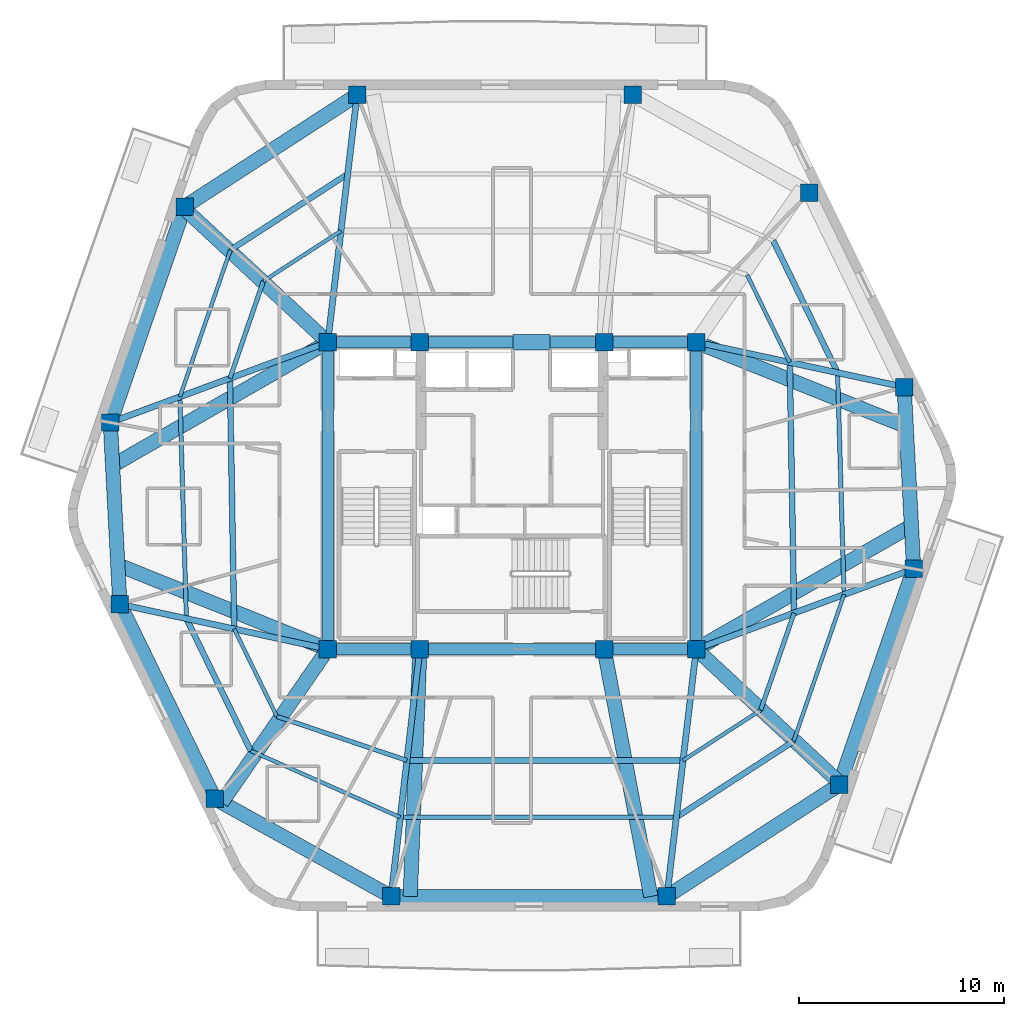
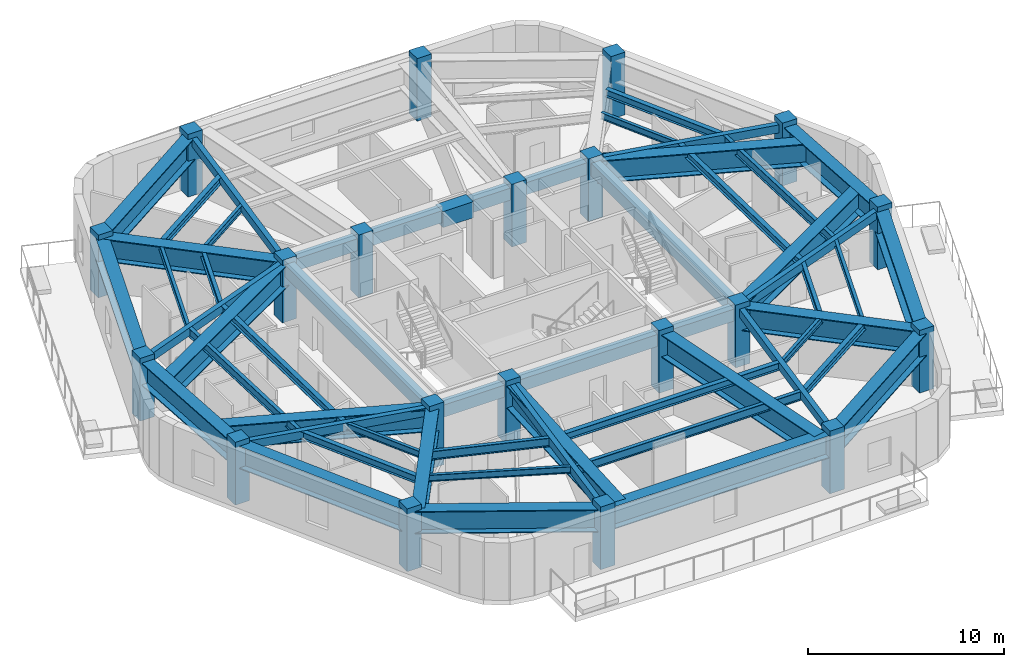
# One storey, part 1 of 9: 54 beams, 20 columns.
"""IFC4 building model written with IfcOpenShell, lengths in metres."""

from ifc_helpers import new_model, si_unit, direction, frame, origin, origin_2d, place, context, subcontext, project, spatial, rectangle, i_section, extrude, material, material_profile, profile_set, type_object, element, save


model = new_model("IFC4")

# Units and contexts
model_context = context("Model", 3, precision=1e-05, world=origin(), true_north=direction((0.0, 1.0)))
body_context = subcontext(model_context, "Body", "Model", "MODEL_VIEW")
ifc_project = project(units=[si_unit("LENGTHUNIT", "METRE"), si_unit("AREAUNIT", "SQUARE_METRE"), si_unit("VOLUMEUNIT", "CUBIC_METRE"), si_unit("PLANEANGLEUNIT", "RADIAN"), si_unit("MASSUNIT", "GRAM", prefix="KILO")], contexts=[model_context])

# Site, building, storey
site_placement = place(None, origin())
site = spatial("IfcSite", under=ifc_project, at=site_placement, CompositionType="ELEMENT")
building_placement = place(site_placement, origin())
building = spatial("IfcBuilding", under=site, at=building_placement, Name="Kilnhurst Terrace Hotel", CompositionType="ELEMENT")
storey_placement = place(building_placement, frame((0.0, 0.0, 301.5)))
storey = spatial("IfcBuildingStorey", under=building, at=storey_placement, Name="L75", CompositionType="ELEMENT", Elevation=301.5)

# Columns
ifc_material_1 = material(Name="Concrete C60/75", Category="concrete")
ifc_material_profile_1 = material_profile(ifc_material_1, rectangle(XDim=0.85009765625, YDim=0.85009765625, at=origin_2d()), Name="RC850X850")
ifc_profile_set_1 = profile_set([ifc_material_profile_1], Name="Concrete C60/75")
column_type = type_object("IfcColumnType", Name="COL-RC-850", PredefinedType="COLUMN", material=ifc_profile_set_1)
for number, where, z_axis, x_axis, name in (
    (1, (-9.0, -7.5, 0.0), (0.0, 0.0, 1.0), (1.0, 0.0, 0.0), "L75 Structural Column CC-SW"),
    (2, (-4.5, -7.5, 0.0), (0.0, 0.0, 1.0), (1.0, 0.0, 0.0), "L75 Structural Column CC-SC1"),
    (3, (4.5, -7.5, 0.0), (0.0, 0.0, 1.0), (1.0, 0.0, 0.0), "L75 Structural Column CC-SC2"),
    (4, (9.0, -7.5, 0.0), (0.0, 0.0, 1.0), (1.0, 0.0, 0.0), "L75 Structural Column CC-SE"),
    (5, (9.0, 7.5, 0.0), (0.0, 0.0, 1.0), (1.0, 0.0, 0.0), "L75 Structural Column CC-NE"),
    (6, (4.5, 7.5, 0.0), (0.0, 0.0, 1.0), (1.0, 0.0, 0.0), "L75 Structural Column CC-NC2"),
    (7, (-4.5, 7.5, 0.0), (0.0, 0.0, 1.0), (1.0, 0.0, 0.0), "L75 Structural Column CC-NC1"),
    (8, (-9.0, 7.5, 0.0), (0.0, 0.0, 1.0), (1.0, 0.0, 0.0), "L75 Structural Column CC-NW"),
    (9, (-5.907958984375, -19.580078125, 0.0), (0.0, 0.0, 1.0), (1.0, 0.0, 0.0), "L75 Structural Column PC-F11"),
    (10, (7.569091796875, -19.580078125, 0.0), (0.0, 0.0, 1.0), (1.0, 0.0, 0.0), "L75 Structural Column PC-F12"),
    (11, (15.9951171875, -14.12109375, 0.0), (0.0, 0.0, 1.0), (1.0, 0.0, 0.0), "L75 Structural Column PC-F21"),
    (12, (19.6240234375, -3.573974609375, 0.0), (0.0, 0.0, 1.0), (1.0, 0.0, 0.0), "L75 Structural Column PC-F22"),
    (13, (19.157958984375, 5.304931640625, 0.0), (0.0, 0.0, 1.0), (1.0, 0.0, 0.0), "L75 Structural Column PC-F31"),
    (14, (14.531005859375, 14.798095703125, 0.0), (0.0, 0.0, 1.0), (1.0, 0.0, 0.0), "L75 Structural Column PC-F32"),
    (15, (5.907958984375, 19.580078125, 0.0), (0.0, 0.0, 1.0), (1.0, 0.0, 0.0), "L75 Structural Column PC-F41"),
    (16, (-7.569091796875, 19.580078125, 0.0), (0.0, 0.0, 1.0), (1.0, 0.0, 0.0), "L75 Structural Column PC-F42"),
    (17, (-15.9951171875, 14.12109375, 0.0), (0.0, 0.0, 1.0), (1.0, 0.0, 0.0), "L75 Structural Column PC-F51"),
    (18, (-19.6240234375, 3.573974609375, 0.0), (0.0, 0.0, 1.0), (1.0, 0.0, 0.0), "L75 Structural Column PC-F52"),
    (19, (-19.157958984375, -5.304931640625, 0.0), (0.0, 0.0, 1.0), (1.0, 0.0, 0.0), "L75 Structural Column PC-F61"),
    (20, (-14.531005859375, -14.798095703125, 0.0), (0.0, 0.0, 1.0), (1.0, 0.0, 0.0), "L75 Structural Column PC-F62"),
):
    element("IfcColumn", number, at=place(storey_placement, frame(where, z_axis=z_axis, x_axis=x_axis)), inside=storey, type_object=column_type, Name=name, PredefinedType="COLUMN", context=body_context, shape_type="SweptSolid", body=[
        extrude(rectangle(XDim=0.85009765625, YDim=0.85009765625, at=origin_2d()), origin(), (0.0, 0.0, 1.0), 3.89990234375),
    ])

# Beams
ifc_material_2 = material(Name="Concrete C50/60", Category="concrete")
ifc_material_profile_2 = material_profile(ifc_material_2, rectangle(XDim=0.300048828125, YDim=0.5, at=origin_2d()), Name="RC300X500")
ifc_profile_set_2 = profile_set([ifc_material_profile_2], Name="Concrete C50/60")
beam_type_1 = type_object("IfcBeamType", Name="BM-RAD-300X500", PredefinedType="BEAM", material=ifc_profile_set_2)
beam_1_placement = place(storey_placement, frame((-4.5, -7.5, 3.330078125), z_axis=(-0.115768472001, -0.993276225876, 0.0), x_axis=(0.993276225876, -0.115768472001, 0.0)))
element("IfcBeam", 21, at=beam_1_placement, inside=storey, type_object=beam_type_1, Name="L75 Radial Floor Beam 1", PredefinedType="BEAM", context=body_context, shape_type="SweptSolid", body=[
    extrude(rectangle(XDim=0.300048828125, YDim=0.5, at=origin_2d()), origin(), (0.0, 0.0, 1.0), 12.161865234375),
])
beam_2_placement = place(storey_placement, frame((9.0, -7.5, 3.330078125), z_axis=(-0.117629552811, -0.993057545314, 0.0), x_axis=(0.993057545314, -0.117629552811, 0.0)))
element("IfcBeam", 22, at=beam_2_placement, inside=storey, type_object=beam_type_1, Name="L75 Radial Floor Beam 2", PredefinedType="BEAM", context=body_context, shape_type="SweptSolid", body=[
    extrude(rectangle(XDim=0.300048828125, YDim=0.5, at=origin_2d()), origin(), (0.0, 0.0, 1.0), 12.16455078125),
])
beam_3_placement = place(storey_placement, frame((9.0, -7.5, 3.330078125), z_axis=(0.938001507479, 0.3466311757, 0.0), x_axis=(-0.3466311757, 0.938001507479, 0.0)))
element("IfcBeam", 23, at=beam_3_placement, inside=storey, type_object=beam_type_1, Name="L75 Radial Floor Beam 4", PredefinedType="BEAM", context=body_context, shape_type="SweptSolid", body=[
    extrude(rectangle(XDim=0.300048828125, YDim=0.5, at=origin_2d()), origin(), (0.0, 0.0, 1.0), 11.326171875),
])
beam_4_placement = place(storey_placement, frame((9.0, 7.5, 3.330078125), z_axis=(0.977438945995, -0.211218149913, 0.0), x_axis=(0.211218149913, 0.977438945995, 0.0)))
element("IfcBeam", 24, at=beam_4_placement, inside=storey, type_object=beam_type_1, Name="L75 Radial Floor Beam 5", PredefinedType="BEAM", context=body_context, shape_type="SweptSolid", body=[
    extrude(rectangle(XDim=0.300048828125, YDim=0.5, at=origin_2d()), origin(), (0.0, 0.0, 1.0), 10.392333984375),
])
beam_5_placement = place(storey_placement, frame((-9.0, 7.5, 3.330078125), z_axis=(0.117629552811, 0.993057545314, 0.0), x_axis=(-0.993057545314, 0.117629552811, 0.0)))
element("IfcBeam", 25, at=beam_5_placement, inside=storey, type_object=beam_type_1, Name="L75 Radial Floor Beam 8", PredefinedType="BEAM", context=body_context, shape_type="SweptSolid", body=[
    extrude(rectangle(XDim=0.300048828125, YDim=0.5, at=origin_2d()), origin(), (0.0, 0.0, 1.0), 12.16455078125),
])
beam_6_placement = place(storey_placement, frame((-9.0, 7.5, 3.330078125), z_axis=(-0.938001507479, -0.3466311757, 0.0), x_axis=(0.3466311757, -0.938001507479, 0.0)))
element("IfcBeam", 26, at=beam_6_placement, inside=storey, type_object=beam_type_1, Name="L75 Radial Floor Beam 10", PredefinedType="BEAM", context=body_context, shape_type="SweptSolid", body=[
    extrude(rectangle(XDim=0.300048828125, YDim=0.5, at=origin_2d()), origin(), (0.0, 0.0, 1.0), 11.326171875),
])
beam_7_placement = place(storey_placement, frame((-9.0, -7.5, 3.330078125), z_axis=(-0.977438945995, 0.211218149913, 0.0), x_axis=(-0.211218149913, -0.977438945995, 0.0)))
element("IfcBeam", 27, at=beam_7_placement, inside=storey, type_object=beam_type_1, Name="L75 Radial Floor Beam 11", PredefinedType="BEAM", context=body_context, shape_type="SweptSolid", body=[
    extrude(rectangle(XDim=0.300048828125, YDim=0.5, at=origin_2d()), origin(), (0.0, 0.0, 1.0), 10.392333984375),
])
ifc_material_profile_3 = material_profile(ifc_material_2, rectangle(XDim=0.550048828125, YDim=0.75, at=origin_2d()), Name="RC550X750")
ifc_profile_set_3 = profile_set([ifc_material_profile_3], Name="Concrete C50/60")
beam_type_2 = type_object("IfcBeamType", Name="BM-SPN-550X750", PredefinedType="SPANDREL", material=ifc_profile_set_3)
beam_8_placement = place(storey_placement, frame((-9.0, 7.5, 3.205078125), z_axis=(1.0, 0.0, 0.0), x_axis=(0.0, 1.0, 0.0)))
element("IfcBeam", 28, at=beam_8_placement, inside=storey, type_object=beam_type_2, Name="L75 Core Tie Beam CC-NW to CC-NC1", PredefinedType="SPANDREL", context=body_context, shape_type="SweptSolid", body=[
    extrude(rectangle(XDim=0.550048828125, YDim=0.75, at=origin_2d()), origin(), (0.0, 0.0, 1.0), 4.5),
])
beam_9_placement = place(storey_placement, frame((-4.5, 7.5, 3.205078125), z_axis=(1.0, 0.0, 0.0), x_axis=(0.0, 1.0, 0.0)))
element("IfcBeam", 29, at=beam_9_placement, inside=storey, type_object=beam_type_2, Name="L75 Core Tie Beam CC-NC1 to CC-NC2", PredefinedType="SPANDREL", context=body_context, shape_type="SweptSolid", body=[
    extrude(rectangle(XDim=0.550048828125, YDim=0.75, at=origin_2d()), origin(), (0.0, 0.0, 1.0), 9.0),
])
for number, where, z_axis, x_axis, name in (
    (30, (4.5, 7.5, 3.205078125), (1.0, 0.0, 0.0), (0.0, 1.0, 0.0), "L75 Core Tie Beam CC-NC2 to CC-NE"),
    (31, (-9.0, -7.5, 3.205078125), (1.0, 0.0, 0.0), (0.0, 1.0, 0.0), "L75 Core Tie Beam CC-SW to CC-SC1"),
):
    element("IfcBeam", number, at=place(storey_placement, frame(where, z_axis=z_axis, x_axis=x_axis)), inside=storey, type_object=beam_type_2, Name=name, PredefinedType="SPANDREL", context=body_context, shape_type="SweptSolid", body=[
        extrude(rectangle(XDim=0.550048828125, YDim=0.75, at=origin_2d()), origin(), (0.0, 0.0, 1.0), 4.5),
    ])
beam_10_placement = place(storey_placement, frame((-4.5, -7.5, 3.205078125), z_axis=(1.0, 0.0, 0.0), x_axis=(0.0, 1.0, 0.0)))
element("IfcBeam", 32, at=beam_10_placement, inside=storey, type_object=beam_type_2, Name="L75 Core Tie Beam CC-SC1 to CC-SC2", PredefinedType="SPANDREL", context=body_context, shape_type="SweptSolid", body=[
    extrude(rectangle(XDim=0.550048828125, YDim=0.75, at=origin_2d()), origin(), (0.0, 0.0, 1.0), 9.0),
])
beam_11_placement = place(storey_placement, frame((4.5, -7.5, 3.205078125), z_axis=(1.0, 0.0, 0.0), x_axis=(0.0, 1.0, 0.0)))
element("IfcBeam", 33, at=beam_11_placement, inside=storey, type_object=beam_type_2, Name="L75 Core Tie Beam CC-SC2 to CC-SE", PredefinedType="SPANDREL", context=body_context, shape_type="SweptSolid", body=[
    extrude(rectangle(XDim=0.550048828125, YDim=0.75, at=origin_2d()), origin(), (0.0, 0.0, 1.0), 4.5),
])
for number, where, z_axis, x_axis, name in (
    (34, (-9.0, -7.5, 3.205078125), (0.0, 1.0, 0.0), (-1.0, 0.0, 0.0), "L75 Core Tie Beam CC-SW to CC-NW"),
    (35, (9.0, -7.5, 3.205078125), (0.0, 1.0, 0.0), (-1.0, 0.0, 0.0), "L75 Core Tie Beam CC-SE to CC-NE"),
):
    element("IfcBeam", number, at=place(storey_placement, frame(where, z_axis=z_axis, x_axis=x_axis)), inside=storey, type_object=beam_type_2, Name=name, PredefinedType="SPANDREL", context=body_context, shape_type="SweptSolid", body=[
        extrude(rectangle(XDim=0.550048828125, YDim=0.75, at=origin_2d()), origin(), (0.0, 0.0, 1.0), 15.0),
    ])
ifc_material_3 = material(Name="Steel ASTM A992 Grade 50", Category="steel")
ifc_material_profile_4 = material_profile(ifc_material_3, i_section(OverallWidth=0.180908203125, OverallDepth=0.417236328125, WebThickness=0.010986328125, FlangeThickness=0.018310546875, at=origin_2d()), Name="W16X57")
ifc_profile_set_4 = profile_set([ifc_material_profile_4], Name="Steel ASTM A992 Grade 50")
beam_type_3 = type_object("IfcBeamType", Name="JST-STL-W16X57", PredefinedType="JOIST", material=ifc_profile_set_4)
for number, where, z_axis, x_axis, name in (
    (36, (13.756591796875, -12.002197265625, 3.37109375), (0.325367628202, 0.945587598543, 0.0), (-0.945587598543, 0.325367628202, 0.0), "L75 Secondary Floor Steel Joist OUT.3"),
    (37, (-13.756591796875, 12.002197265625, 3.37109375), (-0.325367628202, -0.945587598543, 0.0), (0.945587598543, -0.325367628202, 0.0), "L75 Secondary Floor Steel Joist OUT.9"),
):
    element("IfcBeam", number, at=place(storey_placement, frame(where, z_axis=z_axis, x_axis=x_axis)), inside=storey, type_object=beam_type_3, Name=name, PredefinedType="JOIST", context=body_context, shape_type="SweptSolid", body=[
        extrude(i_section(OverallWidth=0.180908203125, OverallDepth=0.417236328125, WebThickness=0.010986328125, FlangeThickness=0.018310546875, at=origin_2d()), origin(), (0.0, 0.0, 1.0), 7.58447265625),
    ])
beam_12_placement = place(storey_placement, frame((-12.760986328125, -12.462646484375, 3.37109375), z_axis=(0.913545640569, -0.406736232216, 0.0), x_axis=(0.406736232216, 0.913545640569, 0.0)))
element("IfcBeam", 38, at=beam_12_placement, inside=storey, type_object=beam_type_3, Name="L75 Secondary Floor Steel Joist OUT.12", PredefinedType="JOIST", context=body_context, shape_type="SweptSolid", body=[
    extrude(i_section(OverallWidth=0.180908203125, OverallDepth=0.417236328125, WebThickness=0.010986328125, FlangeThickness=0.018310546875, at=origin_2d()), origin(), (0.0, 0.0, 1.0), 7.99462890625),
])
beam_13_placement = place(storey_placement, frame((8.35595703125, -12.93603515625, 3.37109375), z_axis=(0.839261215199, 0.543728436503, 0.0), x_axis=(-0.543728436503, 0.839261215199, 0.0)))
element("IfcBeam", 39, at=beam_13_placement, inside=storey, type_object=beam_type_3, Name="L75 Secondary Floor Steel Joist IN.2", PredefinedType="JOIST", context=body_context, shape_type="SweptSolid", body=[
    extrude(i_section(OverallWidth=0.180908203125, OverallDepth=0.417236328125, WebThickness=0.010986328125, FlangeThickness=0.018310546875, at=origin_2d()), origin(), (0.0, 0.0, 1.0), 4.51806640625),
])
beam_14_placement = place(storey_placement, frame((13.571044921875, 6.51220703125, 3.37109375), z_axis=(-0.438107813647, 0.898922434708, 0.0), x_axis=(-0.898922434708, -0.438107813647, 0.0)))
element("IfcBeam", 40, at=beam_14_placement, inside=storey, type_object=beam_type_3, Name="L75 Secondary Floor Steel Joist IN.5", PredefinedType="JOIST", context=body_context, shape_type="SweptSolid", body=[
    extrude(i_section(OverallWidth=0.180908203125, OverallDepth=0.417236328125, WebThickness=0.010986328125, FlangeThickness=0.018310546875, at=origin_2d()), origin(), (0.0, 0.0, 1.0), 4.75244140625),
])
beam_15_placement = place(storey_placement, frame((-8.35595703125, 12.93603515625, 3.37109375), z_axis=(-0.839261215199, -0.543728436503, 0.0), x_axis=(0.543728436503, -0.839261215199, 0.0)))
element("IfcBeam", 41, at=beam_15_placement, inside=storey, type_object=beam_type_3, Name="L75 Secondary Floor Steel Joist IN.8", PredefinedType="JOIST", context=body_context, shape_type="SweptSolid", body=[
    extrude(i_section(OverallWidth=0.180908203125, OverallDepth=0.417236328125, WebThickness=0.010986328125, FlangeThickness=0.018310546875, at=origin_2d()), origin(), (0.0, 0.0, 1.0), 4.51806640625),
])
beam_16_placement = place(storey_placement, frame((-13.571044921875, -6.51220703125, 3.37109375), z_axis=(0.438107813647, -0.898922434708, 0.0), x_axis=(0.898922434708, 0.438107813647, 0.0)))
element("IfcBeam", 42, at=beam_16_placement, inside=storey, type_object=beam_type_3, Name="L75 Secondary Floor Steel Joist IN.11", PredefinedType="JOIST", context=body_context, shape_type="SweptSolid", body=[
    extrude(i_section(OverallWidth=0.180908203125, OverallDepth=0.417236328125, WebThickness=0.010986328125, FlangeThickness=0.018310546875, at=origin_2d()), origin(), (0.0, 0.0, 1.0), 4.75244140625),
])
ifc_material_profile_5 = material_profile(ifc_material_3, i_section(OverallWidth=0.279296875, OverallDepth=0.462890625, WebThickness=0.0107421875, FlangeThickness=0.017333984375, at=origin_2d()), Name="W18X76")
ifc_profile_set_5 = profile_set([ifc_material_profile_5], Name="Steel ASTM A992 Grade 50")
beam_type_4 = type_object("IfcBeamType", Name="JST-STL-W18X76", PredefinedType="JOIST", material=ifc_profile_set_5)
beam_17_placement = place(storey_placement, frame((8.02685546875, -15.71435546875, 3.347900390625), z_axis=(0.839257246669, 0.543734562001, 0.0), x_axis=(-0.543734562001, 0.839257246669, 0.0)))
element("IfcBeam", 43, at=beam_17_placement, inside=storey, type_object=beam_type_4, Name="L75 Secondary Floor Steel Joist OUT.2", PredefinedType="JOIST", context=body_context, shape_type="SweptSolid", body=[
    extrude(i_section(OverallWidth=0.279296875, OverallDepth=0.462890625, WebThickness=0.0107421875, FlangeThickness=0.017333984375, at=origin_2d()), origin(), (0.0, 0.0, 1.0), 6.8271484375),
])
beam_18_placement = place(storey_placement, frame((15.907470703125, 6.00732421875, 3.347900390625), z_axis=(-0.438147652742, 0.898903017237, 0.0), x_axis=(-0.898903017237, -0.438147652742, 0.0)))
element("IfcBeam", 44, at=beam_18_placement, inside=storey, type_object=beam_type_4, Name="L75 Secondary Floor Steel Joist OUT.5", PredefinedType="JOIST", context=body_context, shape_type="SweptSolid", body=[
    extrude(i_section(OverallWidth=0.279296875, OverallDepth=0.462890625, WebThickness=0.0107421875, FlangeThickness=0.017333984375, at=origin_2d()), origin(), (0.0, 0.0, 1.0), 7.181396484375),
])
beam_19_placement = place(storey_placement, frame((-8.02685546875, 15.71435546875, 3.347900390625), z_axis=(-0.839257246669, -0.543734562001, 0.0), x_axis=(0.543734562001, -0.839257246669, 0.0)))
element("IfcBeam", 45, at=beam_19_placement, inside=storey, type_object=beam_type_4, Name="L75 Secondary Floor Steel Joist OUT.8", PredefinedType="JOIST", context=body_context, shape_type="SweptSolid", body=[
    extrude(i_section(OverallWidth=0.279296875, OverallDepth=0.462890625, WebThickness=0.0107421875, FlangeThickness=0.017333984375, at=origin_2d()), origin(), (0.0, 0.0, 1.0), 6.8271484375),
])
beam_20_placement = place(storey_placement, frame((-15.907470703125, -6.00732421875, 3.347900390625), z_axis=(0.438147652742, -0.898903017237, 0.0), x_axis=(0.898903017237, 0.438147652742, 0.0)))
element("IfcBeam", 46, at=beam_20_placement, inside=storey, type_object=beam_type_4, Name="L75 Secondary Floor Steel Joist OUT.11", PredefinedType="JOIST", context=body_context, shape_type="SweptSolid", body=[
    extrude(i_section(OverallWidth=0.279296875, OverallDepth=0.462890625, WebThickness=0.0107421875, FlangeThickness=0.017333984375, at=origin_2d()), origin(), (0.0, 0.0, 1.0), 7.181396484375),
])
beam_21_placement = place(storey_placement, frame((-5.133544921875, -12.93603515625, 3.347900390625), z_axis=(1.0, 0.0, 0.0), x_axis=(0.0, 1.0, 0.0)))
element("IfcBeam", 47, at=beam_21_placement, inside=storey, type_object=beam_type_4, Name="L75 Secondary Floor Steel Joist IN.1", PredefinedType="JOIST", context=body_context, shape_type="SweptSolid", body=[
    extrude(i_section(OverallWidth=0.279296875, OverallDepth=0.462890625, WebThickness=0.0107421875, FlangeThickness=0.017333984375, at=origin_2d()), origin(), (0.0, 0.0, 1.0), 13.489501953125),
])
for number, where, z_axis, x_axis, name in (
    (48, (13.78076171875, -5.7333984375, 3.347900390625), (-0.01712337129, 0.99985338433, 0.0), (-0.99985338433, -0.01712337129, 0.0), "L75 Secondary Floor Steel Joist IN.4"),
    (49, (-13.78076171875, 5.7333984375, 3.347900390625), (0.01712337129, -0.99985338433, 0.0), (0.99985338433, 0.01712337129, 0.0), "L75 Secondary Floor Steel Joist IN.10"),
):
    element("IfcBeam", number, at=place(storey_placement, frame(where, z_axis=z_axis, x_axis=x_axis)), inside=storey, type_object=beam_type_4, Name=name, PredefinedType="JOIST", context=body_context, shape_type="SweptSolid", body=[
        extrude(i_section(OverallWidth=0.279296875, OverallDepth=0.462890625, WebThickness=0.0107421875, FlangeThickness=0.017333984375, at=origin_2d()), origin(), (0.0, 0.0, 1.0), 12.247314453125),
    ])
ifc_material_profile_6 = material_profile(ifc_material_3, i_section(OverallWidth=0.2138671875, OverallDepth=0.549072265625, WebThickness=0.0146484375, FlangeThickness=0.023681640625, at=origin_2d()), Name="W21X93")
ifc_profile_set_6 = profile_set([ifc_material_profile_6], Name="Steel ASTM A992 Grade 50")
beam_type_5 = type_object("IfcBeamType", Name="JST-STL-W21X93", PredefinedType="JOIST", material=ifc_profile_set_6)
beam_22_placement = place(storey_placement, frame((-5.45751953125, -15.71435546875, 3.304931640625), z_axis=(1.0, 0.0, 0.0), x_axis=(0.0, 1.0, 0.0)))
element("IfcBeam", 50, at=beam_22_placement, inside=storey, type_object=beam_type_5, Name="L75 Secondary Floor Steel Joist OUT.1", PredefinedType="JOIST", context=body_context, shape_type="SweptSolid", body=[
    extrude(i_section(OverallWidth=0.2138671875, OverallDepth=0.549072265625, WebThickness=0.0146484375, FlangeThickness=0.023681640625, at=origin_2d()), origin(), (0.0, 0.0, 1.0), 13.484375),
])
for number, where, z_axis, x_axis, name in (
    (51, (16.224365234375, -4.830322265625, 3.304931640625), (-0.029227669324, 0.999572780415, 0.0), (-0.999572780415, -0.029227669324, 0.0), "L75 Secondary Floor Steel Joist OUT.4"),
    (52, (-16.224365234375, 4.830322265625, 3.304931640625), (0.029227669324, -0.999572780415, 0.0), (0.999572780415, 0.029227669324, 0.0), "L75 Secondary Floor Steel Joist OUT.10"),
):
    element("IfcBeam", number, at=place(storey_placement, frame(where, z_axis=z_axis, x_axis=x_axis)), inside=storey, type_object=beam_type_5, Name=name, PredefinedType="JOIST", context=body_context, shape_type="SweptSolid", body=[
        extrude(i_section(OverallWidth=0.2138671875, OverallDepth=0.549072265625, WebThickness=0.0146484375, FlangeThickness=0.023681640625, at=origin_2d()), origin(), (0.0, 0.0, 1.0), 10.84228515625),
    ])
for number, where, z_axis, x_axis, name in (
    (53, (12.147705078125, -10.4794921875, 3.304931640625), (0.325362511486, 0.94558935914, 0.0), (-0.94558935914, 0.325362511486, 0.0), "L75 Secondary Floor Steel Joist IN.3"),
    (54, (-12.147705078125, 10.4794921875, 3.304931640625), (-0.325362511486, -0.94558935914, 0.0), (0.94558935914, -0.325362511486, 0.0), "L75 Secondary Floor Steel Joist IN.9"),
):
    element("IfcBeam", number, at=place(storey_placement, frame(where, z_axis=z_axis, x_axis=x_axis)), inside=storey, type_object=beam_type_5, Name=name, PredefinedType="JOIST", context=body_context, shape_type="SweptSolid", body=[
        extrude(i_section(OverallWidth=0.2138671875, OverallDepth=0.549072265625, WebThickness=0.0146484375, FlangeThickness=0.023681640625, at=origin_2d()), origin(), (0.0, 0.0, 1.0), 5.019287109375),
    ])
beam_23_placement = place(storey_placement, frame((-11.489013671875, -10.7841796875, 3.304931640625), z_axis=(0.947180946302, -0.320699633555, 0.0), x_axis=(0.320699633555, 0.947180946302, 0.0)))
element("IfcBeam", 55, at=beam_23_placement, inside=storey, type_object=beam_type_5, Name="L75 Secondary Floor Steel Joist IN.12", PredefinedType="JOIST", context=body_context, shape_type="SweptSolid", body=[
    extrude(i_section(OverallWidth=0.2138671875, OverallDepth=0.549072265625, WebThickness=0.0146484375, FlangeThickness=0.023681640625, at=origin_2d()), origin(), (0.0, 0.0, 1.0), 6.7099609375),
])
ifc_material_profile_7 = material_profile(ifc_material_1, rectangle(XDim=0.75, YDim=1.0, at=origin_2d()), Name="RC750X1000")
ifc_profile_set_7 = profile_set([ifc_material_profile_7], Name="Concrete C60/75")
beam_type_6 = type_object("IfcBeamType", Name="LNT-CB-750X1000", PredefinedType="LINTEL", material=ifc_profile_set_7)
beam_24_placement = place(storey_placement, frame((0.050048828125, 7.5, 3.080078125), z_axis=(1.0, 0.0, 0.0), x_axis=(0.0, 1.0, 0.0)))
element("IfcBeam", 56, at=beam_24_placement, inside=storey, type_object=beam_type_6, Name="L75 North Core Coupling Link Beam", PredefinedType="LINTEL", context=body_context, shape_type="SweptSolid", body=[
    extrude(rectangle(XDim=0.75, YDim=1.0, at=origin_2d()), origin(), (0.0, 0.0, 1.0), 1.800048828125),
])
ifc_material_4 = material(Name="Steel ASTM A572 Grade 50", Category="steel")
ifc_material_profile_8 = material_profile(ifc_material_4, i_section(OverallWidth=0.699951171875, OverallDepth=1.39990234375, WebThickness=0.035888671875, FlangeThickness=0.054931640625, at=origin_2d()), Name="PG1400X700")
ifc_profile_set_8 = profile_set([ifc_material_profile_8], Name="Steel ASTM A572 Grade 50")
beam_type_7 = type_object("IfcBeamType", Name="TG-PORT-1400", PredefinedType="USERDEFINED", material=ifc_profile_set_8)
beam_25_placement = place(storey_placement, frame((-5.907958984375, -19.580078125, 2.8798828125), z_axis=(1.0, 0.0, 0.0), x_axis=(0.0, 1.0, 0.0)))
element("IfcBeam", 57, at=beam_25_placement, inside=storey, type_object=beam_type_7, Name="L75 Zone Step Perimeter Transfer Girder 1", ObjectType="GIRDER", PredefinedType="USERDEFINED", context=body_context, shape_type="SweptSolid", body=[
    extrude(i_section(OverallWidth=0.699951171875, OverallDepth=1.39990234375, WebThickness=0.035888671875, FlangeThickness=0.054931640625, at=origin_2d()), origin(), (0.0, 0.0, 1.0), 13.47705078125),
])
beam_26_placement = place(storey_placement, frame((7.569091796875, -19.580078125, 2.8798828125), z_axis=(0.839258818809, 0.543732135386, 0.0), x_axis=(-0.543732135386, 0.839258818809, 0.0)))
element("IfcBeam", 58, at=beam_26_placement, inside=storey, type_object=beam_type_7, Name="L75 Zone Step Perimeter Transfer Girder 2", ObjectType="GIRDER", PredefinedType="USERDEFINED", context=body_context, shape_type="SweptSolid", body=[
    extrude(i_section(OverallWidth=0.699951171875, OverallDepth=1.39990234375, WebThickness=0.035888671875, FlangeThickness=0.054931640625, at=origin_2d()), origin(), (0.0, 0.0, 1.0), 10.039794921875),
])
beam_27_placement = place(storey_placement, frame((15.9951171875, -14.12109375, 2.8798828125), z_axis=(0.325347079026, 0.945594669068, 0.0), x_axis=(-0.945594669068, 0.325347079026, 0.0)))
element("IfcBeam", 59, at=beam_27_placement, inside=storey, type_object=beam_type_7, Name="L75 Zone Step Perimeter Transfer Girder 3", ObjectType="GIRDER", PredefinedType="USERDEFINED", context=body_context, shape_type="SweptSolid", body=[
    extrude(i_section(OverallWidth=0.699951171875, OverallDepth=1.39990234375, WebThickness=0.035888671875, FlangeThickness=0.054931640625, at=origin_2d()), origin(), (0.0, 0.0, 1.0), 11.154052734375),
])
beam_28_placement = place(storey_placement, frame((19.6240234375, -3.573974609375, 2.8798828125), z_axis=(-0.052419034962, 0.998625177318, 0.0), x_axis=(-0.998625177318, -0.052419034962, 0.0)))
element("IfcBeam", 60, at=beam_28_placement, inside=storey, type_object=beam_type_7, Name="L75 Zone Step Perimeter Transfer Girder 4", ObjectType="GIRDER", PredefinedType="USERDEFINED", context=body_context, shape_type="SweptSolid", body=[
    extrude(i_section(OverallWidth=0.699951171875, OverallDepth=1.39990234375, WebThickness=0.035888671875, FlangeThickness=0.054931640625, at=origin_2d()), origin(), (0.0, 0.0, 1.0), 8.89111328125),
])
beam_29_placement = place(storey_placement, frame((-7.569091796875, 19.580078125, 2.8798828125), z_axis=(-0.839258818809, -0.543732135386, 0.0), x_axis=(0.543732135386, -0.839258818809, 0.0)))
element("IfcBeam", 61, at=beam_29_placement, inside=storey, type_object=beam_type_7, Name="L75 Zone Step Perimeter Transfer Girder 8", ObjectType="GIRDER", PredefinedType="USERDEFINED", context=body_context, shape_type="SweptSolid", body=[
    extrude(i_section(OverallWidth=0.699951171875, OverallDepth=1.39990234375, WebThickness=0.035888671875, FlangeThickness=0.054931640625, at=origin_2d()), origin(), (0.0, 0.0, 1.0), 10.039794921875),
])
beam_30_placement = place(storey_placement, frame((-15.9951171875, 14.12109375, 2.8798828125), z_axis=(-0.325347079026, -0.945594669068, 0.0), x_axis=(0.945594669068, -0.325347079026, 0.0)))
element("IfcBeam", 62, at=beam_30_placement, inside=storey, type_object=beam_type_7, Name="L75 Zone Step Perimeter Transfer Girder 9", ObjectType="GIRDER", PredefinedType="USERDEFINED", context=body_context, shape_type="SweptSolid", body=[
    extrude(i_section(OverallWidth=0.699951171875, OverallDepth=1.39990234375, WebThickness=0.035888671875, FlangeThickness=0.054931640625, at=origin_2d()), origin(), (0.0, 0.0, 1.0), 11.154052734375),
])
beam_31_placement = place(storey_placement, frame((-19.6240234375, 3.573974609375, 2.8798828125), z_axis=(0.052419034962, -0.998625177318, 0.0), x_axis=(0.998625177318, 0.052419034962, 0.0)))
element("IfcBeam", 63, at=beam_31_placement, inside=storey, type_object=beam_type_7, Name="L75 Zone Step Perimeter Transfer Girder 10", ObjectType="GIRDER", PredefinedType="USERDEFINED", context=body_context, shape_type="SweptSolid", body=[
    extrude(i_section(OverallWidth=0.699951171875, OverallDepth=1.39990234375, WebThickness=0.035888671875, FlangeThickness=0.054931640625, at=origin_2d()), origin(), (0.0, 0.0, 1.0), 8.89111328125),
])
beam_32_placement = place(storey_placement, frame((-19.157958984375, -5.304931640625, 2.8798828125), z_axis=(0.438128464895, -0.898912369616, 0.0), x_axis=(0.898912369616, 0.438128464895, 0.0)))
element("IfcBeam", 64, at=beam_32_placement, inside=storey, type_object=beam_type_7, Name="L75 Zone Step Perimeter Transfer Girder 11", ObjectType="GIRDER", PredefinedType="USERDEFINED", context=body_context, shape_type="SweptSolid", body=[
    extrude(i_section(OverallWidth=0.699951171875, OverallDepth=1.39990234375, WebThickness=0.035888671875, FlangeThickness=0.054931640625, at=origin_2d()), origin(), (0.0, 0.0, 1.0), 10.560791015625),
])
beam_33_placement = place(storey_placement, frame((-14.531005859375, -14.798095703125, 2.8798828125), z_axis=(0.874527255888, -0.484976369227, 0.0), x_axis=(0.484976369227, 0.874527255888, 0.0)))
element("IfcBeam", 65, at=beam_33_placement, inside=storey, type_object=beam_type_7, Name="L75 Zone Step Perimeter Transfer Girder 12", ObjectType="GIRDER", PredefinedType="USERDEFINED", context=body_context, shape_type="SweptSolid", body=[
    extrude(i_section(OverallWidth=0.699951171875, OverallDepth=1.39990234375, WebThickness=0.035888671875, FlangeThickness=0.054931640625, at=origin_2d()), origin(), (0.0, 0.0, 1.0), 9.8603515625),
])
beam_34_placement = place(storey_placement, frame((-4.5, -7.5, 2.8798828125), z_axis=(-0.039076840412, -0.999236208583, 0.0), x_axis=(0.999236208583, -0.039076840412, 0.0)))
element("IfcBeam", 66, at=beam_34_placement, inside=storey, type_object=beam_type_7, Name="L75 Zone Step Radial Transfer Girder 1", ObjectType="GIRDER", PredefinedType="USERDEFINED", context=body_context, shape_type="SweptSolid", body=[
    extrude(i_section(OverallWidth=0.699951171875, OverallDepth=1.39990234375, WebThickness=0.035888671875, FlangeThickness=0.054931640625, at=origin_2d()), origin(), (0.0, 0.0, 1.0), 12.08935546875),
])
beam_35_placement = place(storey_placement, frame((4.5, -7.5, 2.8798828125), z_axis=(0.185602513669, -0.982624906523, 0.0), x_axis=(0.982624906523, 0.185602513669, 0.0)))
element("IfcBeam", 67, at=beam_35_placement, inside=storey, type_object=beam_type_7, Name="L75 Zone Step Radial Transfer Girder 2", ObjectType="GIRDER", PredefinedType="USERDEFINED", context=body_context, shape_type="SweptSolid", body=[
    extrude(i_section(OverallWidth=0.699951171875, OverallDepth=1.39990234375, WebThickness=0.035888671875, FlangeThickness=0.054931640625, at=origin_2d()), origin(), (0.0, 0.0, 1.0), 12.293701171875),
])
beam_36_placement = place(storey_placement, frame((9.0, -7.5, 2.8798828125), z_axis=(0.731894849512, -0.681417588017, 0.0), x_axis=(0.681417588017, 0.731894849512, 0.0)))
element("IfcBeam", 68, at=beam_36_placement, inside=storey, type_object=beam_type_7, Name="L75 Zone Step Radial Transfer Girder 3", ObjectType="GIRDER", PredefinedType="USERDEFINED", context=body_context, shape_type="SweptSolid", body=[
    extrude(i_section(OverallWidth=0.699951171875, OverallDepth=1.39990234375, WebThickness=0.035888671875, FlangeThickness=0.054931640625, at=origin_2d()), origin(), (0.0, 0.0, 1.0), 9.595947265625),
])
beam_37_placement = place(storey_placement, frame((9.0, -7.5, 2.8798828125), z_axis=(0.867521967894, 0.49739886934, 0.0), x_axis=(-0.49739886934, 0.867521967894, 0.0)))
element("IfcBeam", 69, at=beam_37_placement, inside=storey, type_object=beam_type_7, Name="L75 Zone Step Radial Transfer Girder 4", ObjectType="GIRDER", PredefinedType="USERDEFINED", context=body_context, shape_type="SweptSolid", body=[
    extrude(i_section(OverallWidth=0.699951171875, OverallDepth=1.39990234375, WebThickness=0.035888671875, FlangeThickness=0.054931640625, at=origin_2d()), origin(), (0.0, 0.0, 1.0), 12.119140625),
])
beam_38_placement = place(storey_placement, frame((9.0, 7.5, 2.8798828125), z_axis=(0.92793811805, -0.372734287489, 0.0), x_axis=(0.372734287489, 0.92793811805, 0.0)))
element("IfcBeam", 70, at=beam_38_placement, inside=storey, type_object=beam_type_7, Name="L75 Zone Step Radial Transfer Girder 5", ObjectType="GIRDER", PredefinedType="USERDEFINED", context=body_context, shape_type="SweptSolid", body=[
    extrude(i_section(OverallWidth=0.699951171875, OverallDepth=1.39990234375, WebThickness=0.035888671875, FlangeThickness=0.054931640625, at=origin_2d()), origin(), (0.0, 0.0, 1.0), 11.0556640625),
])
beam_39_placement = place(storey_placement, frame((-9.0, 7.5, 2.8798828125), z_axis=(-0.731894849512, 0.681417588017, 0.0), x_axis=(-0.681417588017, -0.731894849512, 0.0)))
element("IfcBeam", 71, at=beam_39_placement, inside=storey, type_object=beam_type_7, Name="L75 Zone Step Radial Transfer Girder 9", ObjectType="GIRDER", PredefinedType="USERDEFINED", context=body_context, shape_type="SweptSolid", body=[
    extrude(i_section(OverallWidth=0.699951171875, OverallDepth=1.39990234375, WebThickness=0.035888671875, FlangeThickness=0.054931640625, at=origin_2d()), origin(), (0.0, 0.0, 1.0), 9.595947265625),
])
beam_40_placement = place(storey_placement, frame((-9.0, 7.5, 2.8798828125), z_axis=(-0.867521967894, -0.49739886934, 0.0), x_axis=(0.49739886934, -0.867521967894, 0.0)))
element("IfcBeam", 72, at=beam_40_placement, inside=storey, type_object=beam_type_7, Name="L75 Zone Step Radial Transfer Girder 10", ObjectType="GIRDER", PredefinedType="USERDEFINED", context=body_context, shape_type="SweptSolid", body=[
    extrude(i_section(OverallWidth=0.699951171875, OverallDepth=1.39990234375, WebThickness=0.035888671875, FlangeThickness=0.054931640625, at=origin_2d()), origin(), (0.0, 0.0, 1.0), 12.119140625),
])
beam_41_placement = place(storey_placement, frame((-9.0, -7.5, 2.8798828125), z_axis=(-0.92793811805, 0.372734287489, 0.0), x_axis=(-0.372734287489, -0.92793811805, 0.0)))
element("IfcBeam", 73, at=beam_41_placement, inside=storey, type_object=beam_type_7, Name="L75 Zone Step Radial Transfer Girder 11", ObjectType="GIRDER", PredefinedType="USERDEFINED", context=body_context, shape_type="SweptSolid", body=[
    extrude(i_section(OverallWidth=0.699951171875, OverallDepth=1.39990234375, WebThickness=0.035888671875, FlangeThickness=0.054931640625, at=origin_2d()), origin(), (0.0, 0.0, 1.0), 11.0556640625),
])
beam_42_placement = place(storey_placement, frame((-9.0, -7.5, 2.8798828125), z_axis=(-0.568765303988, -0.822499865641, 0.0), x_axis=(0.822499865641, -0.568765303988, 0.0)))
element("IfcBeam", 74, at=beam_42_placement, inside=storey, type_object=beam_type_7, Name="L75 Zone Step Radial Transfer Girder 12", ObjectType="GIRDER", PredefinedType="USERDEFINED", context=body_context, shape_type="SweptSolid", body=[
    extrude(i_section(OverallWidth=0.699951171875, OverallDepth=1.39990234375, WebThickness=0.035888671875, FlangeThickness=0.054931640625, at=origin_2d()), origin(), (0.0, 0.0, 1.0), 9.109130859375),
])

save(model, "model.ifc")
